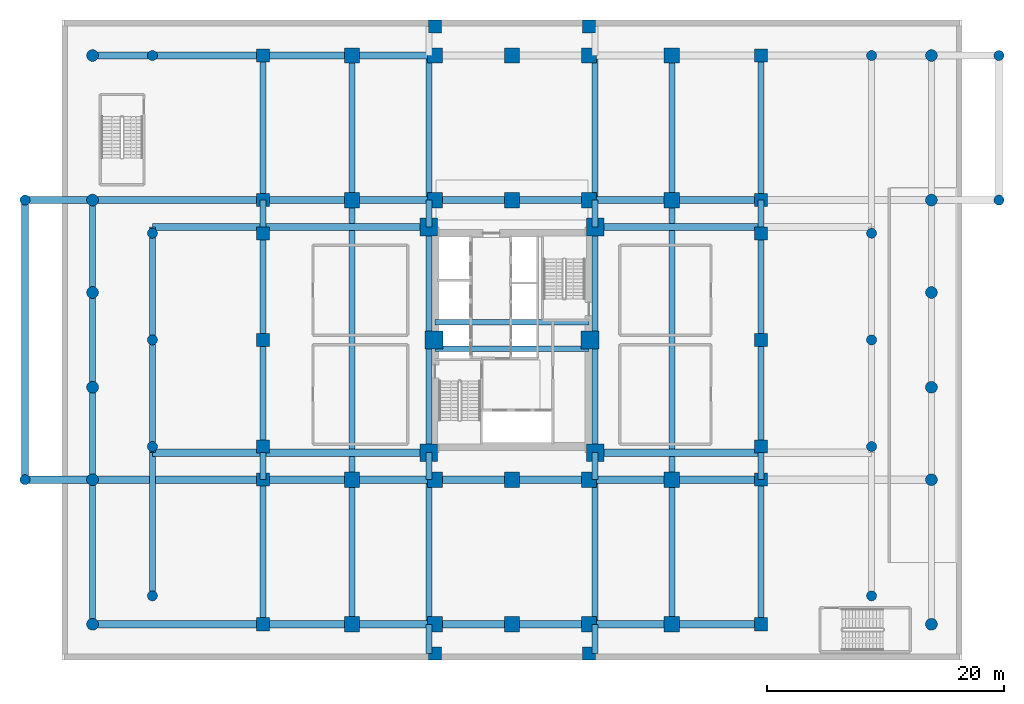
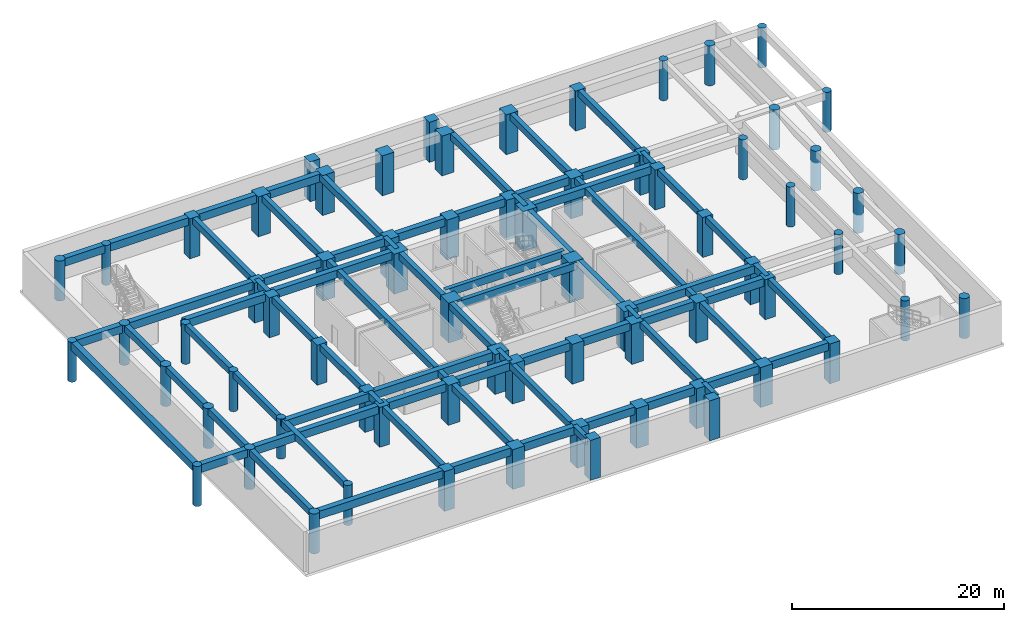
# One storey, part 1 of 12: 73 beams, 70 columns.
"""IFC4 building model written with IfcOpenShell, lengths in metres."""

from ifc_helpers import new_model, si_unit, direction, frame, origin, origin_2d, place, context, subcontext, project, spatial, rectangle, circle, extrude, source, transform, mapped, material, material_profile, profile_set, type_object, element, save


model = new_model("IFC4")

# Units and contexts
model_context = context("Model", 3, precision=1e-05, world=origin(), true_north=direction((0.0, 1.0)))
body_context = subcontext(model_context, "Body", "Model", "MODEL_VIEW")
ifc_project = project(units=[si_unit("LENGTHUNIT", "METRE"), si_unit("AREAUNIT", "SQUARE_METRE"), si_unit("VOLUMEUNIT", "CUBIC_METRE"), si_unit("PLANEANGLEUNIT", "RADIAN"), si_unit("MASSUNIT", "GRAM", prefix="KILO")], contexts=[model_context])

# Site, building, storey
site_placement = place(None, origin())
site = spatial("IfcSite", under=ifc_project, at=site_placement, CompositionType="ELEMENT")
building_placement = place(site_placement, origin())
building = spatial("IfcBuilding", under=site, at=building_placement, Name="Saelheon Loggia Tower", CompositionType="ELEMENT")
storey_placement = place(building_placement, frame((0.0, 0.0, -4.60009765625)))
storey = spatial("IfcBuildingStorey", under=building, at=storey_placement, Name="B1", CompositionType="ELEMENT", Elevation=-4.60009765625)

# Columns
ifc_material_1 = material(Name="Concrete C60/75", Category="concrete")
ifc_material_profile_1 = material_profile(ifc_material_1, rectangle(XDim=1.5, YDim=1.5, at=origin_2d()), Name="RC-1500x1500")
ifc_profile_set_1 = profile_set([ifc_material_profile_1], Name="Concrete C60/75")
column_type_1 = type_object("IfcColumnType", Name="Col_Core_RC1500", PredefinedType="COLUMN", material=ifc_profile_set_1)
shared_shape_1 = source(origin(), body_context, "Body", "SweptSolid", [
    extrude(rectangle(XDim=1.5, YDim=1.5, at=origin_2d()), origin(), (0.0, 0.0, 1.0), 4.60009765625),
])
for number, where, z_axis, x_axis, name in (
    (1, (30.97998046875, 17.47998046875, 0.0), (0.0, 0.0, 1.0), (1.0, 0.0, 0.0), "B1 Core Column CR-SW"),
    (2, (45.02001953125, 17.47998046875, 0.0), (0.0, 0.0, 1.0), (1.0, 0.0, 0.0), "B1 Core Column CR-SE"),
    (3, (30.97998046875, 36.52001953125, 0.0), (0.0, 0.0, 1.0), (1.0, 0.0, 0.0), "B1 Core Column CR-NW"),
    (4, (45.02001953125, 36.52001953125, 0.0), (0.0, 0.0, 1.0), (1.0, 0.0, 0.0), "B1 Core Column CR-NE"),
    (5, (31.419921875, 27.0, 0.0), (0.0, 0.0, 1.0), (1.0, 0.0, 0.0), "B1 Core Column CR-MW"),
    (6, (44.580078125, 27.0, 0.0), (0.0, 0.0, 1.0), (1.0, 0.0, 0.0), "B1 Core Column CR-ME"),
):
    element("IfcColumn", number, at=place(storey_placement, frame(where, z_axis=z_axis, x_axis=x_axis)), inside=storey, type_object=column_type_1, Name=name, PredefinedType="COLUMN", context=body_context, shape_type="MappedRepresentation", body=[
        mapped(shared_shape_1, transform((0.0, 0.0, 0.0), scale=1.0)),
    ])
ifc_material_2 = material(Name="Concrete C50/60", Category="concrete")
ifc_material_profile_2 = material_profile(ifc_material_2, circle(Radius=0.5, at=origin_2d()), Name="CIRC-1000")
ifc_profile_set_2 = profile_set([ifc_material_profile_2], Name="Concrete C50/60")
column_type_2 = type_object("IfcColumnType", Name="Col_Podium_CIRC1000", PredefinedType="COLUMN", material=ifc_profile_set_2)
shared_shape_2 = source(origin(), body_context, "Body", "SweptSolid", [
    extrude(circle(Radius=0.5, at=origin_2d()), origin(), (0.0, 0.0, 1.0), 4.60009765625),
])
for number, where, z_axis, x_axis, name in (
    (7, (2.60009765625, 3.0, 0.0), (0.0, 0.0, 1.0), (1.0, 0.0, 0.0), "B1 Podium Column PW1"),
    (8, (73.39990234375, 3.0, 0.0), (0.0, 0.0, 1.0), (1.0, 0.0, 0.0), "B1 Podium Column PE1"),
    (9, (2.60009765625, 15.199951171875, 0.0), (0.0, 0.0, 1.0), (1.0, 0.0, 0.0), "B1 Podium Column PW2"),
    (10, (73.39990234375, 15.199951171875, 0.0), (0.0, 0.0, 1.0), (1.0, 0.0, 0.0), "B1 Podium Column PE2"),
    (11, (2.60009765625, 23.0, 0.0), (0.0, 0.0, 1.0), (1.0, 0.0, 0.0), "B1 Podium Column PW3"),
    (12, (73.39990234375, 23.0, 0.0), (0.0, 0.0, 1.0), (1.0, 0.0, 0.0), "B1 Podium Column PE3"),
    (13, (2.60009765625, 31.0, 0.0), (0.0, 0.0, 1.0), (1.0, 0.0, 0.0), "B1 Podium Column PW4"),
    (14, (73.39990234375, 31.0, 0.0), (0.0, 0.0, 1.0), (1.0, 0.0, 0.0), "B1 Podium Column PE4"),
    (15, (2.60009765625, 38.800048828125, 0.0), (0.0, 0.0, 1.0), (1.0, 0.0, 0.0), "B1 Podium Column PW5"),
    (16, (73.39990234375, 38.800048828125, 0.0), (0.0, 0.0, 1.0), (1.0, 0.0, 0.0), "B1 Podium Column PE5"),
    (17, (2.60009765625, 51.0, 0.0), (0.0, 0.0, 1.0), (1.0, 0.0, 0.0), "B1 Podium Column PW6"),
    (18, (73.39990234375, 51.0, 0.0), (0.0, 0.0, 1.0), (1.0, 0.0, 0.0), "B1 Podium Column PE6"),
):
    element("IfcColumn", number, at=place(storey_placement, frame(where, z_axis=z_axis, x_axis=x_axis)), inside=storey, type_object=column_type_2, Name=name, PredefinedType="COLUMN", context=body_context, shape_type="MappedRepresentation", body=[
        mapped(shared_shape_2, transform((0.0, 0.0, 0.0), scale=1.0)),
    ])
ifc_material_3 = material(Name="Concrete C45/55", Category="concrete")
ifc_material_profile_3 = material_profile(ifc_material_3, circle(Radius=0.425048828125, at=origin_2d()), Name="CIRC-850")
ifc_profile_set_3 = profile_set([ifc_material_profile_3], Name="Concrete C45/55")
column_type_3 = type_object("IfcColumnType", Name="Col_Podium_CIRC850", PredefinedType="COLUMN", material=ifc_profile_set_3)
shared_shape_3 = source(origin(), body_context, "Body", "SweptSolid", [
    extrude(circle(Radius=0.425048828125, at=origin_2d()), origin(), (0.0, 0.0, 1.0), 4.60009765625),
])
for number, where, z_axis, x_axis, name in (
    (19, (7.64990234375, 5.39990234375, 0.0), (0.0, 0.0, 1.0), (1.0, 0.0, 0.0), "B1 Podium Column PMW1"),
    (20, (68.35009765625, 5.39990234375, 0.0), (0.0, 0.0, 1.0), (1.0, 0.0, 0.0), "B1 Podium Column PME1"),
    (21, (7.64990234375, 18.0, 0.0), (0.0, 0.0, 1.0), (1.0, 0.0, 0.0), "B1 Podium Column PMW2"),
    (22, (68.35009765625, 18.0, 0.0), (0.0, 0.0, 1.0), (1.0, 0.0, 0.0), "B1 Podium Column PME2"),
    (23, (7.64990234375, 27.0, 0.0), (0.0, 0.0, 1.0), (1.0, 0.0, 0.0), "B1 Podium Column PMW3"),
    (24, (68.35009765625, 27.0, 0.0), (0.0, 0.0, 1.0), (1.0, 0.0, 0.0), "B1 Podium Column PME3"),
    (25, (7.64990234375, 36.0, 0.0), (0.0, 0.0, 1.0), (1.0, 0.0, 0.0), "B1 Podium Column PMW4"),
    (26, (68.35009765625, 36.0, 0.0), (0.0, 0.0, 1.0), (1.0, 0.0, 0.0), "B1 Podium Column PME4"),
    (27, (7.64990234375, 51.0, 0.0), (0.0, 0.0, 1.0), (1.0, 0.0, 0.0), "B1 Podium Column PMW5"),
    (28, (68.35009765625, 51.0, 0.0), (0.0, 0.0, 1.0), (1.0, 0.0, 0.0), "B1 Podium Column PME5"),
):
    element("IfcColumn", number, at=place(storey_placement, frame(where, z_axis=z_axis, x_axis=x_axis)), inside=storey, type_object=column_type_3, Name=name, PredefinedType="COLUMN", context=body_context, shape_type="MappedRepresentation", body=[
        mapped(shared_shape_3, transform((0.0, 0.0, 0.0), scale=1.0)),
    ])
ifc_material_4 = material(Name="Precast Concrete C45/55", Category="concrete")
ifc_material_profile_4 = material_profile(ifc_material_4, circle(Radius=0.425048828125, at=origin_2d()), Name="CIRC-850")
ifc_profile_set_4 = profile_set([ifc_material_profile_4], Name="Precast Concrete C45/55")
column_type_4 = type_object("IfcColumnType", Name="Col_Portico_CIRC850", PredefinedType="COLUMN", material=ifc_profile_set_4)
for number, where, z_axis, x_axis, name in (
    (29, (-3.10009765625, 15.199951171875, 0.0), (0.0, 0.0, 1.0), (1.0, 0.0, 0.0), "B1 Portico Canopy Column PRTW1"),
    (30, (-3.10009765625, 38.800048828125, 0.0), (0.0, 0.0, 1.0), (1.0, 0.0, 0.0), "B1 Portico Canopy Column PRTW2"),
    (31, (79.10009765625, 38.800048828125, 0.0), (0.0, 0.0, 1.0), (1.0, 0.0, 0.0), "B1 Portico Canopy Column PRTE1"),
    (32, (79.10009765625, 51.0, 0.0), (0.0, 0.0, 1.0), (1.0, 0.0, 0.0), "B1 Portico Canopy Column PRTE2"),
):
    element("IfcColumn", number, at=place(storey_placement, frame(where, z_axis=z_axis, x_axis=x_axis)), inside=storey, type_object=column_type_4, Name=name, PredefinedType="COLUMN", context=body_context, shape_type="MappedRepresentation", body=[
        mapped(shared_shape_3, transform((0.0, 0.0, 0.0), scale=1.0)),
    ])
ifc_material_profile_5 = material_profile(ifc_material_2, rectangle(XDim=1.10009765625, YDim=1.10009765625, at=origin_2d()), Name="RC-1100x1100")
ifc_profile_set_5 = profile_set([ifc_material_profile_5], Name="Concrete C50/60")
column_type_5 = type_object("IfcColumnType", Name="Col_Perim_RC1100", PredefinedType="COLUMN", material=ifc_profile_set_5)
shared_shape_4 = source(origin(), body_context, "Body", "SweptSolid", [
    extrude(rectangle(XDim=1.10009765625, YDim=1.10009765625, at=origin_2d()), origin(), (0.0, 0.0, 1.0), 4.60009765625),
])
for number, where, z_axis, x_axis, name in (
    (33, (17.0, 3.0, 0.0), (0.0, 0.0, 1.0), (1.0, 0.0, 0.0), "B1 Podium Column PIW1"),
    (34, (59.0, 3.0, 0.0), (0.0, 0.0, 1.0), (1.0, 0.0, 0.0), "B1 Podium Column PIE1"),
    (35, (17.0, 15.199951171875, 0.0), (0.0, 0.0, 1.0), (1.0, 0.0, 0.0), "B1 Podium Column PIW2"),
    (36, (59.0, 15.199951171875, 0.0), (0.0, 0.0, 1.0), (1.0, 0.0, 0.0), "B1 Podium Column PIE2"),
    (37, (17.0, 18.0, 0.0), (0.0, 0.0, 1.0), (1.0, 0.0, 0.0), "B1 Podium Column PIW3"),
    (38, (59.0, 18.0, 0.0), (0.0, 0.0, 1.0), (1.0, 0.0, 0.0), "B1 Podium Column PIE3"),
    (39, (17.0, 27.0, 0.0), (0.0, 0.0, 1.0), (1.0, 0.0, 0.0), "B1 Podium Column PIW4"),
    (40, (59.0, 27.0, 0.0), (0.0, 0.0, 1.0), (1.0, 0.0, 0.0), "B1 Podium Column PIE4"),
    (41, (17.0, 36.0, 0.0), (0.0, 0.0, 1.0), (1.0, 0.0, 0.0), "B1 Podium Column PIW5"),
    (42, (59.0, 36.0, 0.0), (0.0, 0.0, 1.0), (1.0, 0.0, 0.0), "B1 Podium Column PIE5"),
    (43, (17.0, 38.800048828125, 0.0), (0.0, 0.0, 1.0), (1.0, 0.0, 0.0), "B1 Podium Column PIW6"),
    (44, (59.0, 38.800048828125, 0.0), (0.0, 0.0, 1.0), (1.0, 0.0, 0.0), "B1 Podium Column PIE6"),
    (45, (17.0, 51.0, 0.0), (0.0, 0.0, 1.0), (1.0, 0.0, 0.0), "B1 Podium Column PIW7"),
    (46, (59.0, 51.0, 0.0), (0.0, 0.0, 1.0), (1.0, 0.0, 0.0), "B1 Podium Column PIE7"),
):
    element("IfcColumn", number, at=place(storey_placement, frame(where, z_axis=z_axis, x_axis=x_axis)), inside=storey, type_object=column_type_5, Name=name, PredefinedType="COLUMN", context=body_context, shape_type="MappedRepresentation", body=[
        mapped(shared_shape_4, transform((0.0, 0.0, 0.0), scale=1.0)),
    ])
ifc_material_profile_6 = material_profile(ifc_material_2, rectangle(XDim=1.10009765625, YDim=1.10009765625, at=origin_2d()), Name="RC-1100x1100")
ifc_profile_set_6 = profile_set([ifc_material_profile_6], Name="Concrete C50/60")
column_type_6 = type_object("IfcColumnType", Name="Col_PerimExt_RC1100", PredefinedType="COLUMN", material=ifc_profile_set_6)
for number, where, z_axis, x_axis, name in (
    (47, (31.5, 0.550048828125, 0.0), (0.0, 0.0, 1.0), (1.0, 0.0, 0.0), "B1 Podium Column C31Y006"),
    (48, (31.5, 53.449951171875, 0.0), (0.0, 0.0, 1.0), (1.0, 0.0, 0.0), "B1 Podium Column C31Y534"),
    (49, (44.5, 0.550048828125, 0.0), (0.0, 0.0, 1.0), (1.0, 0.0, 0.0), "B1 Podium Column C44Y006"),
    (50, (44.5, 53.449951171875, 0.0), (0.0, 0.0, 1.0), (1.0, 0.0, 0.0), "B1 Podium Column C44Y534"),
):
    element("IfcColumn", number, at=place(storey_placement, frame(where, z_axis=z_axis, x_axis=x_axis)), inside=storey, type_object=column_type_6, Name=name, PredefinedType="COLUMN", context=body_context, shape_type="MappedRepresentation", body=[
        mapped(shared_shape_4, transform((0.0, 0.0, 0.0), scale=1.0)),
    ])
ifc_material_profile_7 = material_profile(ifc_material_1, rectangle(XDim=1.300048828125, YDim=1.300048828125, at=origin_2d()), Name="RC-1300x1300")
ifc_profile_set_7 = profile_set([ifc_material_profile_7], Name="Concrete C60/75")
column_type_7 = type_object("IfcColumnType", Name="Col_Perim_RC1300", PredefinedType="COLUMN", material=ifc_profile_set_7)
shared_shape_5 = source(origin(), body_context, "Body", "SweptSolid", [
    extrude(rectangle(XDim=1.300048828125, YDim=1.300048828125, at=origin_2d()), origin(), (0.0, 0.0, 1.0), 4.60009765625),
])
for number, where, z_axis, x_axis, name in (
    (51, (24.5, 3.0, 0.0), (0.0, 0.0, 1.0), (1.0, 0.0, 0.0), "B1 Podium Column C24Y030"),
    (52, (24.5, 15.199951171875, 0.0), (0.0, 0.0, 1.0), (1.0, 0.0, 0.0), "B1 Podium Column C24Y152"),
    (53, (24.5, 38.800048828125, 0.0), (0.0, 0.0, 1.0), (1.0, 0.0, 0.0), "B1 Podium Column C24Y388"),
    (54, (24.5, 51.0, 0.0), (0.0, 0.0, 1.0), (1.0, 0.0, 0.0), "B1 Podium Column C24Y510"),
    (55, (31.5, 3.0, 0.0), (0.0, 0.0, 1.0), (1.0, 0.0, 0.0), "B1 Podium Column C31Y030"),
    (56, (31.5, 15.199951171875, 0.0), (0.0, 0.0, 1.0), (1.0, 0.0, 0.0), "B1 Podium Column C31Y152"),
    (57, (31.5, 38.800048828125, 0.0), (0.0, 0.0, 1.0), (1.0, 0.0, 0.0), "B1 Podium Column C31Y388"),
    (58, (31.5, 51.0, 0.0), (0.0, 0.0, 1.0), (1.0, 0.0, 0.0), "B1 Podium Column C31Y510"),
    (59, (38.0, 3.0, 0.0), (0.0, 0.0, 1.0), (1.0, 0.0, 0.0), "B1 Podium Column C38Y030"),
    (60, (38.0, 15.199951171875, 0.0), (0.0, 0.0, 1.0), (1.0, 0.0, 0.0), "B1 Podium Column C38Y152"),
    (61, (38.0, 38.800048828125, 0.0), (0.0, 0.0, 1.0), (1.0, 0.0, 0.0), "B1 Podium Column C38Y388"),
    (62, (38.0, 51.0, 0.0), (0.0, 0.0, 1.0), (1.0, 0.0, 0.0), "B1 Podium Column C38Y510"),
    (63, (44.5, 3.0, 0.0), (0.0, 0.0, 1.0), (1.0, 0.0, 0.0), "B1 Podium Column C44Y030"),
    (64, (44.5, 15.199951171875, 0.0), (0.0, 0.0, 1.0), (1.0, 0.0, 0.0), "B1 Podium Column C44Y152"),
    (65, (44.5, 38.800048828125, 0.0), (0.0, 0.0, 1.0), (1.0, 0.0, 0.0), "B1 Podium Column C44Y388"),
    (66, (44.5, 51.0, 0.0), (0.0, 0.0, 1.0), (1.0, 0.0, 0.0), "B1 Podium Column C44Y510"),
    (67, (51.5, 3.0, 0.0), (0.0, 0.0, 1.0), (1.0, 0.0, 0.0), "B1 Podium Column C51Y030"),
    (68, (51.5, 15.199951171875, 0.0), (0.0, 0.0, 1.0), (1.0, 0.0, 0.0), "B1 Podium Column C51Y152"),
    (69, (51.5, 38.800048828125, 0.0), (0.0, 0.0, 1.0), (1.0, 0.0, 0.0), "B1 Podium Column C51Y388"),
    (70, (51.5, 51.0, 0.0), (0.0, 0.0, 1.0), (1.0, 0.0, 0.0), "B1 Podium Column C51Y510"),
):
    element("IfcColumn", number, at=place(storey_placement, frame(where, z_axis=z_axis, x_axis=x_axis)), inside=storey, type_object=column_type_7, Name=name, PredefinedType="COLUMN", context=body_context, shape_type="MappedRepresentation", body=[
        mapped(shared_shape_5, transform((0.0, 0.0, 0.0), scale=1.0)),
    ])

# Beams
ifc_material_profile_8 = material_profile(ifc_material_2, rectangle(XDim=0.449951171875, YDim=0.85009765625, at=origin_2d()), Name="RC-450x850")
ifc_profile_set_8 = profile_set([ifc_material_profile_8], Name="Concrete C50/60")
beam_type_1 = type_object("IfcBeamType", Name="Beam_CoreLintel_RC450x850", PredefinedType="LINTEL", material=ifc_profile_set_8)
shared_shape_6 = source(origin(), body_context, "Body", "SweptSolid", [
    extrude(rectangle(XDim=0.449951171875, YDim=0.85009765625, at=origin_2d()), origin(), (0.0, 0.0, 1.0), 13.0),
])
for number, where, z_axis, x_axis, name in (
    (71, (31.5, 26.25, 4.175048828125), (1.0, 0.0, 0.0), (0.0, 1.0, 0.0), "B1 Core Coupling Lintel 1"),
    (72, (31.5, 28.5, 4.175048828125), (1.0, 0.0, 0.0), (0.0, 1.0, 0.0), "B1 Core Coupling Lintel 2"),
):
    element("IfcBeam", number, at=place(storey_placement, frame(where, z_axis=z_axis, x_axis=x_axis)), inside=storey, type_object=beam_type_1, Name=name, PredefinedType="LINTEL", context=body_context, shape_type="MappedRepresentation", body=[
        mapped(shared_shape_6, transform((0.0, 0.0, 0.0), scale=1.0)),
    ])
ifc_material_profile_9 = material_profile(ifc_material_2, rectangle(XDim=0.60009765625, YDim=0.89990234375, at=origin_2d()), Name="RC-600x900")
ifc_profile_set_9 = profile_set([ifc_material_profile_9], Name="Concrete C50/60")
beam_type_2 = type_object("IfcBeamType", Name="Beam_PorticoSub_RC600x900", PredefinedType="BEAM", material=ifc_profile_set_9)
shared_shape_7 = source(origin(), body_context, "Body", "SweptSolid", [
    extrude(rectangle(XDim=0.60009765625, YDim=0.89990234375, at=origin_2d()), origin(), (0.0, 0.0, 1.0), 5.7001953125),
])
for number, where, z_axis, x_axis, name in (
    (73, (-3.10009765625, 15.199951171875, 4.150146484375), (1.0, 0.0, 0.0), (0.0, 1.0, 0.0), "BM-B1-PRTW-S"),
    (74, (-3.10009765625, 38.800048828125, 4.150146484375), (1.0, 0.0, 0.0), (0.0, 1.0, 0.0), "BM-B1-PRTW-N"),
):
    element("IfcBeam", number, at=place(storey_placement, frame(where, z_axis=z_axis, x_axis=x_axis)), inside=storey, type_object=beam_type_2, Name=name, PredefinedType="BEAM", context=body_context, shape_type="MappedRepresentation", body=[
        mapped(shared_shape_7, transform((0.0, 0.0, 0.0), scale=1.0)),
    ])
shared_shape_8 = source(origin(), body_context, "Body", "SweptSolid", [
    extrude(rectangle(XDim=0.60009765625, YDim=0.89990234375, at=origin_2d()), origin(), (0.0, 0.0, 1.0), 23.60009765625),
])
beam_1_placement = place(storey_placement, frame((-3.10009765625, 15.199951171875, 4.150146484375), z_axis=(0.0, 1.0, 0.0), x_axis=(-1.0, 0.0, 0.0)))
element("IfcBeam", 75, at=beam_1_placement, inside=storey, type_object=beam_type_2, Name="BM-B1-PRTW-E", PredefinedType="BEAM", context=body_context, shape_type="MappedRepresentation", body=[
    mapped(shared_shape_8, transform((0.0, 0.0, 0.0), scale=1.0)),
])
ifc_material_profile_10 = material_profile(ifc_material_2, rectangle(XDim=0.60009765625, YDim=0.89990234375, at=origin_2d()), Name="RC-600x900")
ifc_profile_set_10 = profile_set([ifc_material_profile_10], Name="Concrete C50/60")
beam_type_3 = type_object("IfcBeamType", Name="Beam_MainGirder_RC600x900", PredefinedType="BEAM", material=ifc_profile_set_10)
shared_shape_9 = source(origin(), body_context, "Body", "SweptSolid", [
    extrude(rectangle(XDim=0.60009765625, YDim=0.89990234375, at=origin_2d()), origin(), (0.0, 0.0, 1.0), 14.39990234375),
])
for number, where, z_axis, x_axis, name in (
    (76, (2.60009765625, 3.0, 4.150146484375), (1.0, 0.0, 0.0), (0.0, 1.0, 0.0), "BM-B1-EW-3-1"),
    (77, (2.60009765625, 15.199951171875, 4.150146484375), (1.0, 0.0, 0.0), (0.0, 1.0, 0.0), "BM-B1-EW-15-1"),
    (78, (2.60009765625, 38.800048828125, 4.150146484375), (1.0, 0.0, 0.0), (0.0, 1.0, 0.0), "BM-B1-EW-38-1"),
):
    element("IfcBeam", number, at=place(storey_placement, frame(where, z_axis=z_axis, x_axis=x_axis)), inside=storey, type_object=beam_type_3, Name=name, PredefinedType="BEAM", context=body_context, shape_type="MappedRepresentation", body=[
        mapped(shared_shape_9, transform((0.0, 0.0, 0.0), scale=1.0)),
    ])
shared_shape_10 = source(origin(), body_context, "Body", "SweptSolid", [
    extrude(rectangle(XDim=0.60009765625, YDim=0.89990234375, at=origin_2d()), origin(), (0.0, 0.0, 1.0), 7.5),
])
for number, where, z_axis, x_axis, name in (
    (79, (17.0, 3.0, 4.150146484375), (1.0, 0.0, 0.0), (0.0, 1.0, 0.0), "BM-B1-EW-3-2"),
    (80, (51.5, 3.0, 4.150146484375), (1.0, 0.0, 0.0), (0.0, 1.0, 0.0), "BM-B1-EW-3-7"),
    (81, (17.0, 15.199951171875, 4.150146484375), (1.0, 0.0, 0.0), (0.0, 1.0, 0.0), "BM-B1-EW-15-2"),
    (82, (51.5, 15.199951171875, 4.150146484375), (1.0, 0.0, 0.0), (0.0, 1.0, 0.0), "BM-B1-EW-15-7"),
    (83, (17.0, 38.800048828125, 4.150146484375), (1.0, 0.0, 0.0), (0.0, 1.0, 0.0), "BM-B1-EW-38-2"),
    (84, (51.5, 38.800048828125, 4.150146484375), (1.0, 0.0, 0.0), (0.0, 1.0, 0.0), "BM-B1-EW-38-7"),
    (85, (17.0, 51.0, 4.150146484375), (1.0, 0.0, 0.0), (0.0, 1.0, 0.0), "BM-B1-EW-51-3"),
):
    element("IfcBeam", number, at=place(storey_placement, frame(where, z_axis=z_axis, x_axis=x_axis)), inside=storey, type_object=beam_type_3, Name=name, PredefinedType="BEAM", context=body_context, shape_type="MappedRepresentation", body=[
        mapped(shared_shape_10, transform((0.0, 0.0, 0.0), scale=1.0)),
    ])
shared_shape_11 = source(origin(), body_context, "Body", "SweptSolid", [
    extrude(rectangle(XDim=0.60009765625, YDim=0.89990234375, at=origin_2d()), origin(), (0.0, 0.0, 1.0), 7.0),
])
for number, where, z_axis, x_axis, name in (
    (86, (24.5, 3.0, 4.150146484375), (1.0, 0.0, 0.0), (0.0, 1.0, 0.0), "BM-B1-EW-3-3"),
    (87, (44.5, 3.0, 4.150146484375), (1.0, 0.0, 0.0), (0.0, 1.0, 0.0), "BM-B1-EW-3-6"),
    (88, (24.5, 15.199951171875, 4.150146484375), (1.0, 0.0, 0.0), (0.0, 1.0, 0.0), "BM-B1-EW-15-3"),
    (89, (44.5, 15.199951171875, 4.150146484375), (1.0, 0.0, 0.0), (0.0, 1.0, 0.0), "BM-B1-EW-15-6"),
    (90, (24.5, 38.800048828125, 4.150146484375), (1.0, 0.0, 0.0), (0.0, 1.0, 0.0), "BM-B1-EW-38-3"),
    (91, (44.5, 38.800048828125, 4.150146484375), (1.0, 0.0, 0.0), (0.0, 1.0, 0.0), "BM-B1-EW-38-6"),
    (92, (24.5, 51.0, 4.150146484375), (1.0, 0.0, 0.0), (0.0, 1.0, 0.0), "BM-B1-EW-51-4"),
):
    element("IfcBeam", number, at=place(storey_placement, frame(where, z_axis=z_axis, x_axis=x_axis)), inside=storey, type_object=beam_type_3, Name=name, PredefinedType="BEAM", context=body_context, shape_type="MappedRepresentation", body=[
        mapped(shared_shape_11, transform((0.0, 0.0, 0.0), scale=1.0)),
    ])
shared_shape_12 = source(origin(), body_context, "Body", "SweptSolid", [
    extrude(rectangle(XDim=0.60009765625, YDim=0.89990234375, at=origin_2d()), origin(), (0.0, 0.0, 1.0), 6.5),
])
for number, where, z_axis, x_axis, name in (
    (93, (31.5, 3.0, 4.150146484375), (1.0, 0.0, 0.0), (0.0, 1.0, 0.0), "BM-B1-EW-3-4"),
    (94, (38.0, 3.0, 4.150146484375), (1.0, 0.0, 0.0), (0.0, 1.0, 0.0), "BM-B1-EW-3-5"),
    (95, (31.5, 15.199951171875, 4.150146484375), (1.0, 0.0, 0.0), (0.0, 1.0, 0.0), "BM-B1-EW-15-4"),
    (96, (38.0, 15.199951171875, 4.150146484375), (1.0, 0.0, 0.0), (0.0, 1.0, 0.0), "BM-B1-EW-15-5"),
    (97, (31.5, 38.800048828125, 4.150146484375), (1.0, 0.0, 0.0), (0.0, 1.0, 0.0), "BM-B1-EW-38-4"),
    (98, (38.0, 38.800048828125, 4.150146484375), (1.0, 0.0, 0.0), (0.0, 1.0, 0.0), "BM-B1-EW-38-5"),
):
    element("IfcBeam", number, at=place(storey_placement, frame(where, z_axis=z_axis, x_axis=x_axis)), inside=storey, type_object=beam_type_3, Name=name, PredefinedType="BEAM", context=body_context, shape_type="MappedRepresentation", body=[
        mapped(shared_shape_12, transform((0.0, 0.0, 0.0), scale=1.0)),
    ])
shared_shape_13 = source(origin(), body_context, "Body", "SweptSolid", [
    extrude(rectangle(XDim=0.60009765625, YDim=0.89990234375, at=origin_2d()), origin(), (0.0, 0.0, 1.0), 5.0498046875),
])
beam_2_placement = place(storey_placement, frame((2.60009765625, 51.0, 4.150146484375), z_axis=(1.0, 0.0, 0.0), x_axis=(0.0, 1.0, 0.0)))
element("IfcBeam", 99, at=beam_2_placement, inside=storey, type_object=beam_type_3, Name="BM-B1-EW-51-1", PredefinedType="BEAM", context=body_context, shape_type="MappedRepresentation", body=[
    mapped(shared_shape_13, transform((0.0, 0.0, 0.0), scale=1.0)),
])
shared_shape_14 = source(origin(), body_context, "Body", "SweptSolid", [
    extrude(rectangle(XDim=0.60009765625, YDim=0.89990234375, at=origin_2d()), origin(), (0.0, 0.0, 1.0), 9.35009765625),
])
for number, where, z_axis, x_axis, name in (
    (100, (7.64990234375, 51.0, 4.150146484375), (1.0, 0.0, 0.0), (0.0, 1.0, 0.0), "BM-B1-EW-51-2"),
    (101, (7.64990234375, 17.47998046875, 4.150146484375), (1.0, 0.0, 0.0), (0.0, 1.0, 0.0), "BM-B1-CT-17-W1"),
    (102, (7.64990234375, 36.52001953125, 4.150146484375), (1.0, 0.0, 0.0), (0.0, 1.0, 0.0), "BM-B1-CT-36-W1"),
):
    element("IfcBeam", number, at=place(storey_placement, frame(where, z_axis=z_axis, x_axis=x_axis)), inside=storey, type_object=beam_type_3, Name=name, PredefinedType="BEAM", context=body_context, shape_type="MappedRepresentation", body=[
        mapped(shared_shape_14, transform((0.0, 0.0, 0.0), scale=1.0)),
    ])
shared_shape_15 = source(origin(), body_context, "Body", "SweptSolid", [
    extrude(rectangle(XDim=0.60009765625, YDim=0.89990234375, at=origin_2d()), origin(), (0.0, 0.0, 1.0), 13.97998046875),
])
for number, where, z_axis, x_axis, name in (
    (103, (17.0, 17.47998046875, 4.150146484375), (1.0, 0.0, 0.0), (0.0, 1.0, 0.0), "BM-B1-CT-17-W2"),
    (104, (45.02001953125, 17.47998046875, 4.150146484375), (1.0, 0.0, 0.0), (0.0, 1.0, 0.0), "BM-B1-CT-17-E2"),
    (105, (17.0, 36.52001953125, 4.150146484375), (1.0, 0.0, 0.0), (0.0, 1.0, 0.0), "BM-B1-CT-36-W2"),
    (106, (45.02001953125, 36.52001953125, 4.150146484375), (1.0, 0.0, 0.0), (0.0, 1.0, 0.0), "BM-B1-CT-36-E2"),
):
    element("IfcBeam", number, at=place(storey_placement, frame(where, z_axis=z_axis, x_axis=x_axis)), inside=storey, type_object=beam_type_3, Name=name, PredefinedType="BEAM", context=body_context, shape_type="MappedRepresentation", body=[
        mapped(shared_shape_15, transform((0.0, 0.0, 0.0), scale=1.0)),
    ])
ifc_material_profile_11 = material_profile(ifc_material_3, rectangle(XDim=0.5, YDim=0.75, at=origin_2d()), Name="RC-500x750")
ifc_profile_set_11 = profile_set([ifc_material_profile_11], Name="Concrete C45/55")
beam_type_4 = type_object("IfcBeamType", Name="Beam_PerimGirder_RC500x750", PredefinedType="BEAM", material=ifc_profile_set_11)
shared_shape_16 = source(origin(), body_context, "Body", "SweptSolid", [
    extrude(rectangle(XDim=0.5, YDim=0.75, at=origin_2d()), origin(), (0.0, 0.0, 1.0), 12.199951171875),
])
beam_3_placement = place(storey_placement, frame((2.60009765625, 3.0, 4.22509765625), z_axis=(0.0, 1.0, 0.0), x_axis=(-1.0, 0.0, 0.0)))
element("IfcBeam", 107, at=beam_3_placement, inside=storey, type_object=beam_type_4, Name="BM-B1-NS-2-1", PredefinedType="BEAM", context=body_context, shape_type="MappedRepresentation", body=[
    mapped(shared_shape_16, transform((0.0, 0.0, 0.0), scale=1.0)),
])
ifc_material_profile_12 = material_profile(ifc_material_3, rectangle(XDim=0.5, YDim=0.75, at=origin_2d()), Name="RC-500x750")
ifc_profile_set_12 = profile_set([ifc_material_profile_12], Name="Concrete C45/55")
beam_type_5 = type_object("IfcBeamType", Name="Beam_FloorGirder_RC500x750", PredefinedType="BEAM", material=ifc_profile_set_12)
for number, where, z_axis, x_axis, name in (
    (108, (17.0, 3.0, 4.22509765625), (0.0, 1.0, 0.0), (-1.0, 0.0, 0.0), "BM-B1-NS-17-1"),
    (109, (17.0, 38.800048828125, 4.22509765625), (0.0, 1.0, 0.0), (-1.0, 0.0, 0.0), "BM-B1-NS-17-6"),
    (110, (24.5, 3.0, 4.22509765625), (0.0, 1.0, 0.0), (-1.0, 0.0, 0.0), "BM-B1-NS-24-1"),
    (111, (24.5, 38.800048828125, 4.22509765625), (0.0, 1.0, 0.0), (-1.0, 0.0, 0.0), "BM-B1-NS-24-3"),
    (112, (30.97998046875, 3.0, 4.22509765625), (0.0, 1.0, 0.0), (-1.0, 0.0, 0.0), "BM-B1-NS-30-2"),
    (113, (30.97998046875, 38.800048828125, 4.22509765625), (0.0, 1.0, 0.0), (-1.0, 0.0, 0.0), "BM-B1-NS-30-6"),
    (114, (45.02001953125, 3.0, 4.22509765625), (0.0, 1.0, 0.0), (-1.0, 0.0, 0.0), "BM-B1-NS-45-2"),
    (115, (45.02001953125, 38.800048828125, 4.22509765625), (0.0, 1.0, 0.0), (-1.0, 0.0, 0.0), "BM-B1-NS-45-6"),
    (116, (51.5, 3.0, 4.22509765625), (0.0, 1.0, 0.0), (-1.0, 0.0, 0.0), "BM-B1-NS-51-1"),
    (117, (51.5, 38.800048828125, 4.22509765625), (0.0, 1.0, 0.0), (-1.0, 0.0, 0.0), "BM-B1-NS-51-3"),
    (118, (59.0, 3.0, 4.22509765625), (0.0, 1.0, 0.0), (-1.0, 0.0, 0.0), "BM-B1-NS-59-1"),
    (119, (59.0, 38.800048828125, 4.22509765625), (0.0, 1.0, 0.0), (-1.0, 0.0, 0.0), "BM-B1-NS-59-6"),
):
    element("IfcBeam", number, at=place(storey_placement, frame(where, z_axis=z_axis, x_axis=x_axis)), inside=storey, type_object=beam_type_5, Name=name, PredefinedType="BEAM", context=body_context, shape_type="MappedRepresentation", body=[
        mapped(shared_shape_16, transform((0.0, 0.0, 0.0), scale=1.0)),
    ])
shared_shape_17 = source(origin(), body_context, "Body", "SweptSolid", [
    extrude(rectangle(XDim=0.5, YDim=0.75, at=origin_2d()), origin(), (0.0, 0.0, 1.0), 7.800048828125),
])
for number, where, z_axis, x_axis, name in (
    (120, (2.60009765625, 15.199951171875, 4.22509765625), (0.0, 1.0, 0.0), (-1.0, 0.0, 0.0), "BM-B1-NS-2-2"),
    (121, (2.60009765625, 31.0, 4.22509765625), (0.0, 1.0, 0.0), (-1.0, 0.0, 0.0), "BM-B1-NS-2-4"),
):
    element("IfcBeam", number, at=place(storey_placement, frame(where, z_axis=z_axis, x_axis=x_axis)), inside=storey, type_object=beam_type_4, Name=name, PredefinedType="BEAM", context=body_context, shape_type="MappedRepresentation", body=[
        mapped(shared_shape_17, transform((0.0, 0.0, 0.0), scale=1.0)),
    ])
shared_shape_18 = source(origin(), body_context, "Body", "SweptSolid", [
    extrude(rectangle(XDim=0.5, YDim=0.75, at=origin_2d()), origin(), (0.0, 0.0, 1.0), 8.0),
])
beam_4_placement = place(storey_placement, frame((2.60009765625, 23.0, 4.22509765625), z_axis=(0.0, 1.0, 0.0), x_axis=(-1.0, 0.0, 0.0)))
element("IfcBeam", 122, at=beam_4_placement, inside=storey, type_object=beam_type_4, Name="BM-B1-NS-2-3", PredefinedType="BEAM", context=body_context, shape_type="MappedRepresentation", body=[
    mapped(shared_shape_18, transform((0.0, 0.0, 0.0), scale=1.0)),
])
shared_shape_19 = source(origin(), body_context, "Body", "SweptSolid", [
    extrude(rectangle(XDim=0.5, YDim=0.75, at=origin_2d()), origin(), (0.0, 0.0, 1.0), 12.080078125),
])
beam_5_placement = place(storey_placement, frame((7.64990234375, 5.39990234375, 4.22509765625), z_axis=(0.0, 1.0, 0.0), x_axis=(-1.0, 0.0, 0.0)))
element("IfcBeam", 123, at=beam_5_placement, inside=storey, type_object=beam_type_5, Name="BM-B1-NS-7-1", PredefinedType="BEAM", context=body_context, shape_type="MappedRepresentation", body=[
    mapped(shared_shape_19, transform((0.0, 0.0, 0.0), scale=1.0)),
])
shared_shape_20 = source(origin(), body_context, "Body", "SweptSolid", [
    extrude(rectangle(XDim=0.5, YDim=0.75, at=origin_2d()), origin(), (0.0, 0.0, 1.0), 9.52001953125),
])
for number, where, z_axis, x_axis, name in (
    (124, (7.64990234375, 17.47998046875, 4.22509765625), (0.0, 1.0, 0.0), (-1.0, 0.0, 0.0), "BM-B1-NS-7-2"),
    (125, (7.64990234375, 27.0, 4.22509765625), (0.0, 1.0, 0.0), (-1.0, 0.0, 0.0), "BM-B1-NS-7-3"),
    (126, (17.0, 17.47998046875, 4.22509765625), (0.0, 1.0, 0.0), (-1.0, 0.0, 0.0), "BM-B1-NS-17-3"),
    (127, (17.0, 27.0, 4.22509765625), (0.0, 1.0, 0.0), (-1.0, 0.0, 0.0), "BM-B1-NS-17-4"),
    (128, (59.0, 17.47998046875, 4.22509765625), (0.0, 1.0, 0.0), (-1.0, 0.0, 0.0), "BM-B1-NS-59-3"),
    (129, (59.0, 27.0, 4.22509765625), (0.0, 1.0, 0.0), (-1.0, 0.0, 0.0), "BM-B1-NS-59-4"),
):
    element("IfcBeam", number, at=place(storey_placement, frame(where, z_axis=z_axis, x_axis=x_axis)), inside=storey, type_object=beam_type_5, Name=name, PredefinedType="BEAM", context=body_context, shape_type="MappedRepresentation", body=[
        mapped(shared_shape_20, transform((0.0, 0.0, 0.0), scale=1.0)),
    ])
shared_shape_21 = source(origin(), body_context, "Body", "SweptSolid", [
    extrude(rectangle(XDim=0.5, YDim=0.75, at=origin_2d()), origin(), (0.0, 0.0, 1.0), 2.280029296875),
])
for number, where, z_axis, x_axis, name in (
    (130, (17.0, 15.199951171875, 4.22509765625), (0.0, 1.0, 0.0), (-1.0, 0.0, 0.0), "BM-B1-NS-17-2"),
    (131, (17.0, 36.52001953125, 4.22509765625), (0.0, 1.0, 0.0), (-1.0, 0.0, 0.0), "BM-B1-NS-17-5"),
    (132, (30.97998046875, 15.199951171875, 4.22509765625), (0.0, 1.0, 0.0), (-1.0, 0.0, 0.0), "BM-B1-NS-30-3"),
    (133, (30.97998046875, 36.52001953125, 4.22509765625), (0.0, 1.0, 0.0), (-1.0, 0.0, 0.0), "BM-B1-NS-30-5"),
    (134, (45.02001953125, 15.199951171875, 4.22509765625), (0.0, 1.0, 0.0), (-1.0, 0.0, 0.0), "BM-B1-NS-45-3"),
    (135, (45.02001953125, 36.52001953125, 4.22509765625), (0.0, 1.0, 0.0), (-1.0, 0.0, 0.0), "BM-B1-NS-45-5"),
    (136, (59.0, 15.199951171875, 4.22509765625), (0.0, 1.0, 0.0), (-1.0, 0.0, 0.0), "BM-B1-NS-59-2"),
    (137, (59.0, 36.52001953125, 4.22509765625), (0.0, 1.0, 0.0), (-1.0, 0.0, 0.0), "BM-B1-NS-59-5"),
):
    element("IfcBeam", number, at=place(storey_placement, frame(where, z_axis=z_axis, x_axis=x_axis)), inside=storey, type_object=beam_type_5, Name=name, PredefinedType="BEAM", context=body_context, shape_type="MappedRepresentation", body=[
        mapped(shared_shape_21, transform((0.0, 0.0, 0.0), scale=1.0)),
    ])
shared_shape_22 = source(origin(), body_context, "Body", "SweptSolid", [
    extrude(rectangle(XDim=0.5, YDim=0.75, at=origin_2d()), origin(), (0.0, 0.0, 1.0), 23.60009765625),
])
for number, where, z_axis, x_axis, name in (
    (138, (24.5, 15.199951171875, 4.22509765625), (0.0, 1.0, 0.0), (-1.0, 0.0, 0.0), "BM-B1-NS-24-2"),
    (139, (51.5, 15.199951171875, 4.22509765625), (0.0, 1.0, 0.0), (-1.0, 0.0, 0.0), "BM-B1-NS-51-2"),
):
    element("IfcBeam", number, at=place(storey_placement, frame(where, z_axis=z_axis, x_axis=x_axis)), inside=storey, type_object=beam_type_5, Name=name, PredefinedType="BEAM", context=body_context, shape_type="MappedRepresentation", body=[
        mapped(shared_shape_22, transform((0.0, 0.0, 0.0), scale=1.0)),
    ])
shared_shape_23 = source(origin(), body_context, "Body", "SweptSolid", [
    extrude(rectangle(XDim=0.5, YDim=0.75, at=origin_2d()), origin(), (0.0, 0.0, 1.0), 2.449951171875),
])
for number, where, z_axis, x_axis, name in (
    (140, (30.97998046875, 0.550048828125, 4.22509765625), (0.0, 1.0, 0.0), (-1.0, 0.0, 0.0), "BM-B1-NS-30-1"),
    (141, (45.02001953125, 0.550048828125, 4.22509765625), (0.0, 1.0, 0.0), (-1.0, 0.0, 0.0), "BM-B1-NS-45-1"),
):
    element("IfcBeam", number, at=place(storey_placement, frame(where, z_axis=z_axis, x_axis=x_axis)), inside=storey, type_object=beam_type_5, Name=name, PredefinedType="BEAM", context=body_context, shape_type="MappedRepresentation", body=[
        mapped(shared_shape_23, transform((0.0, 0.0, 0.0), scale=1.0)),
    ])
shared_shape_24 = source(origin(), body_context, "Body", "SweptSolid", [
    extrude(rectangle(XDim=0.5, YDim=0.75, at=origin_2d()), origin(), (0.0, 0.0, 1.0), 19.0400390625),
])
for number, where, z_axis, x_axis, name in (
    (142, (30.97998046875, 17.47998046875, 4.22509765625), (0.0, 1.0, 0.0), (-1.0, 0.0, 0.0), "BM-B1-NS-30-4"),
    (143, (45.02001953125, 17.47998046875, 4.22509765625), (0.0, 1.0, 0.0), (-1.0, 0.0, 0.0), "BM-B1-NS-45-4"),
):
    element("IfcBeam", number, at=place(storey_placement, frame(where, z_axis=z_axis, x_axis=x_axis)), inside=storey, type_object=beam_type_5, Name=name, PredefinedType="BEAM", context=body_context, shape_type="MappedRepresentation", body=[
        mapped(shared_shape_24, transform((0.0, 0.0, 0.0), scale=1.0)),
    ])

save(model, "model.ifc")
